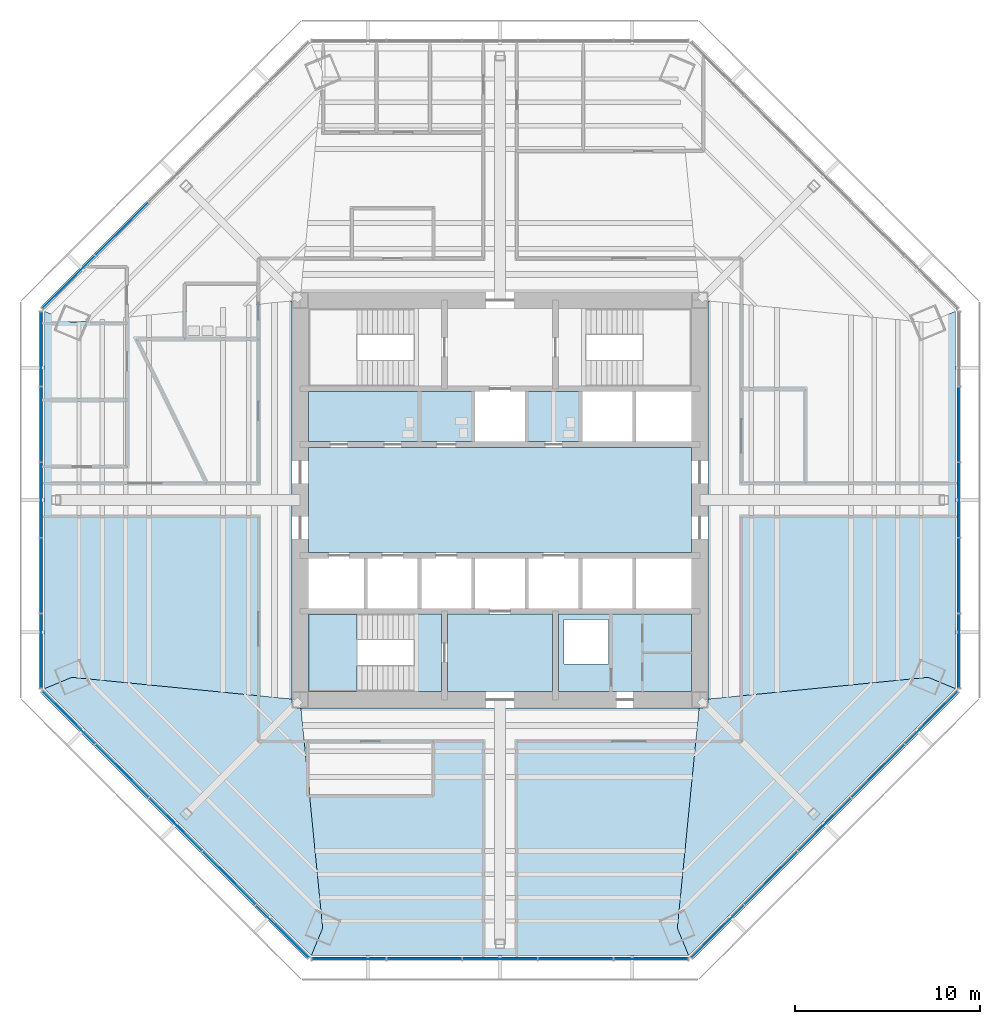
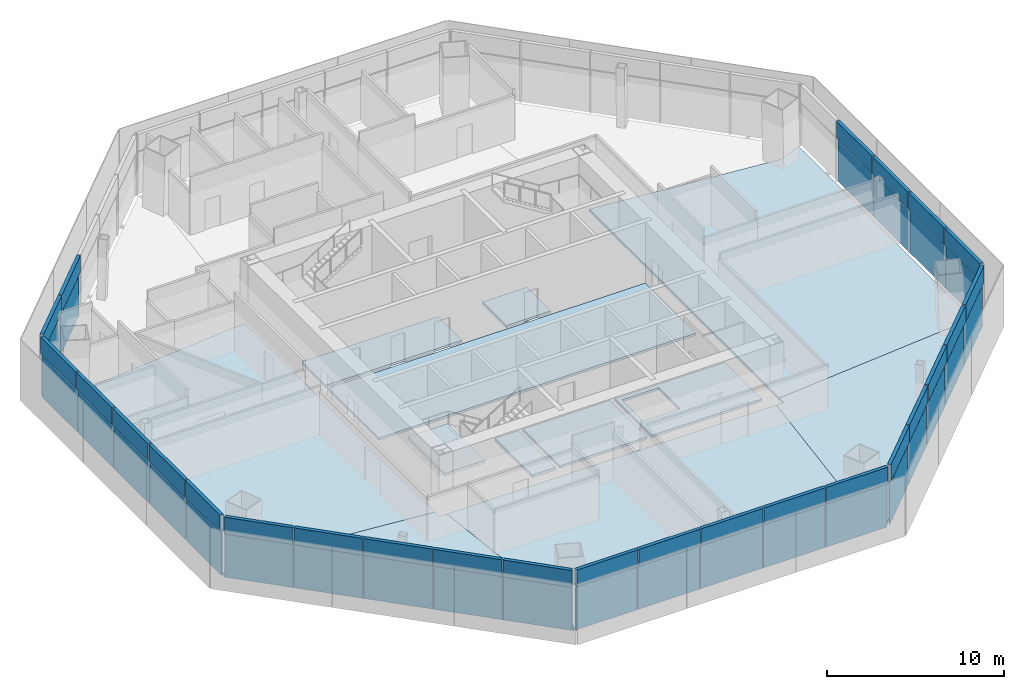
# One storey, part 7 of 14: 52 plates, 12 slabs, 7 elements without a shape of their own.
"""IFC4 building model written with IfcOpenShell, lengths in metres."""

import ifcopenshell
import ifcopenshell.guid

model = None  # the IFC model being written
_history = None  # IfcOwnerHistory: only IFC2X3 demands one
_inside = {}  # id of a spatial element -> (the spatial element, [elements in it])
_under = {}  # id of a project, library or spatial element -> (it, [spatial elements below it])
_declared = {}  # id of a project -> (the project, [libraries it declares])
_typed = {}  # id of a type object -> (the type object, [elements of that type])
_made_of = {}  # id of a material, layer set ... -> (it, [elements and type objects made of it])


def new_model(schema):
    """Start an empty IFC model of exactly this schema.

    Asked for "IFC4X3", IfcOpenShell would pick the latest addendum, in which some entities
    have other attributes; the version numbers below select the first issue.
    IFC2X3 requires an IfcOwnerHistory on every rooted entity: one is made here for all.
    """
    global model, _history
    if schema == "IFC4X3":
        model = ifcopenshell.file(schema_version=(4, 3, 0, 0))
    else:
        model = ifcopenshell.file(schema=schema)
    _inside.clear()
    _under.clear()
    _declared.clear()
    _typed.clear()
    _made_of.clear()
    _history = None
    if model.schema == "IFC2X3":
        org = make("IfcOrganization", Name="unknown")
        user = make(
            "IfcPersonAndOrganization",
            ThePerson=make("IfcPerson", FamilyName="unknown"),
            TheOrganization=org,
        )
        app = make(
            "IfcApplication",
            ApplicationDeveloper=org,
            Version="unknown",
            ApplicationFullName="unknown",
            ApplicationIdentifier="unknown",
        )
        _history = make(
            "IfcOwnerHistory",
            OwningUser=user,
            OwningApplication=app,
            ChangeAction="ADDED",
            CreationDate=0,
        )
    return model


def make(cls, **values):
    """One entity of the class cls with the attributes given. An attribute that is None is left unset."""
    return model.create_entity(
        cls, **{name: value for name, value in values.items() if value is not None}
    )


def rooted(cls, **values):
    """An entity with a GlobalId (a new one), such as an element, a storey or a relation."""
    return make(cls, GlobalId=ifcopenshell.guid.new(), OwnerHistory=_history, **values)


def si_unit(unit_type, name, prefix=None):
    """IfcSIUnit, for example si_unit("LENGTHUNIT", "METRE", prefix="MILLI")."""
    return make("IfcSIUnit", UnitType=unit_type, Prefix=prefix, Name=name)


def assignment(units):
    """IfcUnitAssignment: the units of a project."""
    return None if units is None else make("IfcUnitAssignment", Units=units)


def point(xyz):
    """IfcCartesianPoint."""
    return None if xyz is None else make("IfcCartesianPoint", Coordinates=xyz)


def direction(xyz):
    """IfcDirection."""
    return None if xyz is None else make("IfcDirection", DirectionRatios=xyz)


def frame(location, z_axis=None, x_axis=None):
    """IfcAxis2Placement3D, a coordinate frame: its origin and axes. An axis left out is left unset."""
    return make(
        "IfcAxis2Placement3D",
        Location=point(location),
        Axis=direction(z_axis),
        RefDirection=direction(x_axis),
    )


def frame_2d(location, x_axis=None):
    """IfcAxis2Placement2D, a coordinate frame in the plane: its origin and x axis."""
    return make(
        "IfcAxis2Placement2D", Location=point(location), RefDirection=direction(x_axis)
    )


def origin():
    """The frame at (0, 0, 0) with its axes left unset."""
    return frame((0.0, 0.0, 0.0))


def origin_2d():
    """The frame at (0, 0) in the plane with its x axis left unset."""
    return frame_2d((0.0, 0.0))


def place(relative_to, where):
    """IfcLocalPlacement: puts the frame where relative to a parent placement (None: the world)."""
    return make(
        "IfcLocalPlacement", PlacementRelTo=relative_to, RelativePlacement=where
    )


def context(
    kind, dimensions, precision=None, world=None, true_north=None, identifier=None
):
    """IfcGeometricRepresentationContext, for example the 3D "Model" context."""
    return make(
        "IfcGeometricRepresentationContext",
        ContextIdentifier=identifier,
        ContextType=kind,
        CoordinateSpaceDimension=dimensions,
        Precision=precision,
        WorldCoordinateSystem=world,
        TrueNorth=true_north,
    )


def subcontext(parent, identifier, kind, view, scale=None):
    """IfcGeometricRepresentationSubContext, for example "Body" below "Model"."""
    return make(
        "IfcGeometricRepresentationSubContext",
        ContextIdentifier=identifier,
        ContextType=kind,
        ParentContext=parent,
        TargetScale=scale,
        TargetView=view,
    )


def project(units=None, contexts=None):
    """IfcProject with its units and contexts."""
    return rooted(
        "IfcProject",
        Name="project",
        RepresentationContexts=contexts,
        UnitsInContext=assignment(units),
    )


def spatial(cls, under=None, at=None, **own):
    """A site, building, storey or space (cls), placed at a placement, below another one or the project."""
    s = rooted(cls, ObjectPlacement=at, **own)
    if under is not None:
        _under.setdefault(under.id(), (under, []))[1].append(s)
    return s


def polyline(points):
    """IfcPolyline through the points."""
    return make("IfcPolyline", Points=[point(p) for p in points])


def profile(cls, at=None, kind="AREA", **sizes):
    """A parametric profile (cls). Its sizes go by their IFC names, for example OverallWidth=200.0."""
    return make(cls, ProfileType=kind, Position=at, **sizes)


def rectangle(**sizes):
    """IfcRectangleProfileDef."""
    return profile("IfcRectangleProfileDef", **sizes)


def outline(outer, holes=None, kind="AREA"):
    """IfcArbitraryClosedProfileDef: a profile drawn as a closed curve; with holes, ...WithVoids."""
    if holes is None:
        return make("IfcArbitraryClosedProfileDef", ProfileType=kind, OuterCurve=outer)
    return make(
        "IfcArbitraryProfileDefWithVoids",
        ProfileType=kind,
        OuterCurve=outer,
        InnerCurves=holes,
    )


def extrude(swept, where, along, depth):
    """IfcExtrudedAreaSolid: the profile swept, set in the frame where, extruded along a direction by depth."""
    return make(
        "IfcExtrudedAreaSolid",
        SweptArea=swept,
        Position=where,
        ExtrudedDirection=direction(along),
        Depth=depth,
    )


def shape(context_of_items, identifier, shape_type, items):
    """IfcShapeRepresentation: the items that make up one representation, for example the "Body"."""
    return make(
        "IfcShapeRepresentation",
        ContextOfItems=context_of_items,
        RepresentationIdentifier=identifier,
        RepresentationType=shape_type,
        Items=items,
    )


def source(mapping_origin, context_of_items, identifier, shape_type, items):
    """IfcRepresentationMap: a shape defined once, which mapped items show again and again."""
    return make(
        "IfcRepresentationMap",
        MappingOrigin=mapping_origin,
        MappedRepresentation=shape(context_of_items, identifier, shape_type, items),
    )


def transform(
    local_origin,
    x_axis=None,
    y_axis=None,
    z_axis=None,
    scale=None,
    scale2=None,
    scale3=None,
    uniform=True,
):
    """IfcCartesianTransformationOperator3D, or its non-uniform kind. x_axis, y_axis, z_axis: its Axis1, 2, 3."""
    if uniform:
        return make(
            "IfcCartesianTransformationOperator3D",
            Axis1=direction(x_axis),
            Axis2=direction(y_axis),
            LocalOrigin=point(local_origin),
            Scale=scale,
            Axis3=direction(z_axis),
        )
    return make(
        "IfcCartesianTransformationOperator3DnonUniform",
        Axis1=direction(x_axis),
        Axis2=direction(y_axis),
        LocalOrigin=point(local_origin),
        Scale=scale,
        Axis3=direction(z_axis),
        Scale2=scale2,
        Scale3=scale3,
    )


def mapped(mapping_source, mapping_target):
    """IfcMappedItem: shows the shape of a source again, moved by a transform."""
    return make(
        "IfcMappedItem", MappingSource=mapping_source, MappingTarget=mapping_target
    )


def material(Name=None, Category=None):
    """IfcMaterial."""
    return make("IfcMaterial", Name=Name, Category=Category)


def layer(
    of_material, thickness, ventilated=None, Name=None, Category=None, Priority=None
):
    """IfcMaterialLayer: one layer of a wall or slab, of a material (None: an air gap)."""
    return make(
        "IfcMaterialLayer",
        Material=of_material,
        LayerThickness=thickness,
        IsVentilated=ventilated,
        Name=Name,
        Category=Category,
        Priority=Priority,
    )


def layer_set(layers, Name=None):
    """IfcMaterialLayerSet."""
    return make("IfcMaterialLayerSet", MaterialLayers=layers, LayerSetName=Name)


def made_of(thing, what):
    """Note that an element or type object is made of a material, layer set ...; save() writes the relation."""
    if what is not None:
        _made_of.setdefault(what.id(), (what, []))[1].append(thing)
    return thing


def type_object(cls, material=None, **own):
    """A type object (cls), such as IfcWallType, which elements share."""
    return made_of(rooted(cls, **own), material)


def type_shapes(of_type, sources):
    """Give a type object the sources (RepresentationMaps) that its elements show as mapped items."""
    of_type.RepresentationMaps = sources


def element(
    cls,
    number,
    at=None,
    inside=None,
    cuts=None,
    type_object=None,
    material=None,
    context=None,
    identifier="Body",
    shape_type=None,
    held_by="IfcProductDefinitionShape",
    body=None,
    shapes=None,
    **own,
):
    """One element of the class cls, such as IfcWall. Its Tag is "e" and its number.

    at: its placement. inside: the storey or other place that contains it. cuts: it is an
    opening in that element (IfcRelVoidsElement). A single representation is given by context,
    identifier, shape_type and body (its items); several are given by shapes. held_by: the class
    of the entity that holds the representations. save() writes the other relations.
    """
    e = rooted(cls, Tag="e%d" % number, ObjectPlacement=at, **own)
    if body is not None:
        shapes = [shape(context, identifier, shape_type, body)]
    if shapes is not None:
        e.Representation = make(held_by, Representations=shapes)
    if inside is not None:
        _inside.setdefault(inside.id(), (inside, []))[1].append(e)
    if cuts is not None:
        rooted(
            "IfcRelVoidsElement", RelatingBuildingElement=cuts, RelatedOpeningElement=e
        )
    if type_object is not None:
        _typed.setdefault(type_object.id(), (type_object, []))[1].append(e)
    return made_of(e, material)


def aggregate(whole, parts):
    """IfcRelAggregates: a whole, such as a stair, and the parts it consists of."""
    return rooted("IfcRelAggregates", RelatingObject=whole, RelatedObjects=parts)


def save(model, path):
    """Write the relations noted so far, then the file.

    IfcRelAggregates (storeys below a building ...), IfcRelContainedInSpatialStructure (elements
    in a storey), IfcRelDefinesByType, IfcRelAssociatesMaterial and IfcRelDeclares: one each for
    every whole, place, type object, material and project.
    """
    for whole, parts in _under.values():
        aggregate(whole, parts)
    for where, things in _inside.values():
        rooted(
            "IfcRelContainedInSpatialStructure",
            RelatedElements=things,
            RelatingStructure=where,
        )
    for kind, things in _typed.values():
        rooted("IfcRelDefinesByType", RelatedObjects=things, RelatingType=kind)
    for what, things in _made_of.values():
        rooted("IfcRelAssociatesMaterial", RelatedObjects=things, RelatingMaterial=what)
    for by, libraries in _declared.values():
        rooted("IfcRelDeclares", RelatingContext=by, RelatedDefinitions=libraries)
    model.write(path)


model = new_model("IFC4")

# Units and contexts
model_context = context("Model", 3, precision=1e-05, world=origin(), true_north=direction((0.0, 1.0)))
body_context = subcontext(model_context, "Body", "Model", "MODEL_VIEW")
ifc_project = project(units=[si_unit("LENGTHUNIT", "METRE"), si_unit("AREAUNIT", "SQUARE_METRE"), si_unit("VOLUMEUNIT", "CUBIC_METRE"), si_unit("PLANEANGLEUNIT", "RADIAN"), si_unit("MASSUNIT", "GRAM", prefix="KILO")], contexts=[model_context])

# Site, building, storey
site_placement = place(None, origin())
site = spatial("IfcSite", under=ifc_project, at=site_placement, CompositionType="ELEMENT")
building_placement = place(site_placement, origin())
building = spatial("IfcBuilding", under=site, at=building_placement, Name="Mashrafa Tower", CompositionType="ELEMENT")
storey_placement = place(building_placement, frame((0.0, 0.0, 113.39990234375)))
storey = spatial("IfcBuildingStorey", under=building, at=storey_placement, Name="L25", CompositionType="ELEMENT", Elevation=113.39990234375)

# Slabs
ifc_material_1 = material(Name="Concrete C35/45", Category="concrete")
ifc_layer_1 = layer(ifc_material_1, 0.1650390625)
ifc_layer_set_1 = layer_set([ifc_layer_1], Name="Floor slab 165")
slab_type_1 = type_object("IfcSlabType", Name="Floor slab 165", PredefinedType="FLOOR", material=ifc_layer_set_1)
slab_1_placement = place(storey_placement, frame((0.0, 0.0, -0.164794921875)))
element("IfcSlab", 1, at=slab_1_placement, inside=storey, type_object=slab_type_1, Name="Floor slab L25 east bay", PredefinedType="FLOOR", context=body_context, shape_type="SweptSolid", body=[
    extrude(outline(polyline([(24.606689453125, -10.1923828125), (23.13330078125, -9.58203125), (11.25, -10.755615234375), (11.25, 10.755615234375), (23.13330078125, 9.58203125), (24.606689453125, 10.1923828125), (24.606689453125, -10.1923828125)])), origin(), (0.0, 0.0, 1.0), 0.164794921875),
])
slab_2_placement = place(storey_placement, frame((0.0, 0.0, -0.164794921875)))
element("IfcSlab", 2, at=slab_2_placement, inside=storey, type_object=slab_type_1, Name="Floor slab L25 west bay", PredefinedType="FLOOR", context=body_context, shape_type="SweptSolid", body=[
    extrude(outline(polyline([(-24.606689453125, 10.1923828125), (-23.13330078125, 9.58203125), (-11.25, 10.755615234375), (-11.25, -10.755615234375), (-23.13330078125, -9.58203125), (-24.606689453125, -10.1923828125), (-24.606689453125, 10.1923828125)])), origin(), (0.0, 0.0, 1.0), 0.164794921875),
])
slab_3_placement = place(storey_placement, frame((0.0, 0.0, -0.164794921875)))
element("IfcSlab", 3, at=slab_3_placement, inside=storey, type_object=slab_type_1, Name="Floor slab L25 south-west bay", PredefinedType="FLOOR", context=body_context, shape_type="SweptSolid", body=[
    extrude(outline(polyline([(-10.1923828125, -24.606689453125), (-24.606689453125, -10.1923828125), (-24.606689453125, -10.1923828125), (-23.13330078125, -9.58203125), (-11.25, -10.755615234375), (-11.25, -11.25), (-10.755615234375, -11.25), (-9.58203125, -23.13330078125), (-10.1923828125, -24.606689453125), (-10.1923828125, -24.606689453125)])), origin(), (0.0, 0.0, 1.0), 0.164794921875),
])
slab_4_placement = place(storey_placement, frame((0.0, 0.0, -0.164794921875)))
element("IfcSlab", 4, at=slab_4_placement, inside=storey, type_object=slab_type_1, Name="Floor slab L25 south bay", PredefinedType="FLOOR", context=body_context, shape_type="SweptSolid", body=[
    extrude(outline(polyline([(-10.1923828125, -24.606689453125), (-9.58203125, -23.13330078125), (-10.755615234375, -11.25), (10.755615234375, -11.25), (9.58203125, -23.13330078125), (10.1923828125, -24.606689453125), (-10.1923828125, -24.606689453125)])), origin(), (0.0, 0.0, 1.0), 0.164794921875),
])
slab_5_placement = place(storey_placement, frame((0.0, 0.0, -0.164794921875)))
element("IfcSlab", 5, at=slab_5_placement, inside=storey, type_object=slab_type_1, Name="Floor slab L25 south-east bay", PredefinedType="FLOOR", context=body_context, shape_type="SweptSolid", body=[
    extrude(outline(polyline([(10.1923828125, -24.606689453125), (9.58203125, -23.13330078125), (10.755615234375, -11.25), (11.25, -11.25), (11.25, -10.755615234375), (23.13330078125, -9.58203125), (24.606689453125, -10.1923828125), (24.606689453125, -10.1923828125), (10.1923828125, -24.606689453125), (10.1923828125, -24.606689453125)])), origin(), (0.0, 0.0, 1.0), 0.164794921875),
])
slab_6_placement = place(storey_placement, frame((0.0, 0.0, -0.164794921875)))
element("IfcSlab", 6, at=slab_6_placement, inside=storey, type_object=slab_type_1, Name="Core floor lift hall L25", PredefinedType="FLOOR", context=body_context, shape_type="SweptSolid", body=[
    extrude(outline(polyline([(-10.35009765625, 2.85009765625), (10.35009765625, 2.85009765625), (10.35009765625, -2.85009765625), (-10.35009765625, -2.85009765625), (-10.35009765625, 2.85009765625)])), origin(), (0.0, 0.0, 1.0), 0.164794921875),
])
slab_7_placement = place(storey_placement, frame((0.0, 0.0, -0.164794921875)))
element("IfcSlab", 7, at=slab_7_placement, inside=storey, type_object=slab_type_1, Name="Core floor riser and electrical band L25", PredefinedType="FLOOR", context=body_context, shape_type="SweptSolid", body=[
    extrude(outline(polyline([(10.35009765625, -6.14990234375), (10.35009765625, -10.35009765625), (3.14990234375, -10.35009765625), (3.14990234375, -6.14990234375), (10.35009765625, -6.14990234375)]), holes=[polyline([(3.449951171875, -8.85009765625), (5.85009765625, -8.85009765625), (5.85009765625, -6.449951171875), (3.449951171875, -6.449951171875), (3.449951171875, -8.85009765625)])]), origin(), (0.0, 0.0, 1.0), 0.164794921875),
])
slab_8_placement = place(storey_placement, frame((0.0, 0.0, -0.164794921875)))
element("IfcSlab", 8, at=slab_8_placement, inside=storey, type_object=slab_type_1, Name="Core floor lift cell L25", PredefinedType="FLOOR", context=body_context, shape_type="SweptSolid", body=[
    extrude(outline(polyline([(-1.449951171875, 3.14990234375), (-10.35009765625, 3.14990234375), (-10.35009765625, 5.85009765625), (-1.449951171875, 5.85009765625), (-1.449951171875, 3.14990234375)])), origin(), (0.0, 0.0, 1.0), 0.164794921875),
])
slab_9_placement = place(storey_placement, frame((0.0, 0.0, -0.164794921875)))
element("IfcSlab", 9, at=slab_9_placement, inside=storey, type_object=slab_type_1, Name="Core floor fire-fighting lobby south L25", PredefinedType="FLOOR", context=body_context, shape_type="SweptSolid", body=[
    extrude(outline(polyline([(2.85009765625, -6.14990234375), (2.85009765625, -10.35009765625), (-2.85009765625, -10.35009765625), (-2.85009765625, -6.14990234375), (2.85009765625, -6.14990234375)])), origin(), (0.0, 0.0, 1.0), 0.164794921875),
])
slab_10_placement = place(storey_placement, frame((0.0, 0.0, -0.164794921875)))
element("IfcSlab", 10, at=slab_10_placement, inside=storey, type_object=slab_type_1, Name="Core floor lift cell L25", PredefinedType="FLOOR", context=body_context, shape_type="SweptSolid", body=[
    extrude(outline(polyline([(4.35009765625, 5.85009765625), (4.35009765625, 3.14990234375), (1.449951171875, 3.14990234375), (1.449951171875, 5.85009765625), (4.35009765625, 5.85009765625)])), origin(), (0.0, 0.0, 1.0), 0.164794921875),
])

# Stair, slabs
ifc_material_2 = material(Name="Exit stair 1400")
stair_type = type_object("IfcStairType", Name="Exit stair 1400", PredefinedType="HALF_TURN_STAIR", material=ifc_material_2)
stair_placement = place(storey_placement, origin())
stair = element("IfcStair", 11, at=stair_placement, inside=storey, type_object=stair_type, Name="Stair S3 L25", PredefinedType="HALF_TURN_STAIR")
ifc_material_3 = material(Name="Concrete C32/40", Category="concrete")
ifc_layer_2 = layer(ifc_material_3, 0.199951171875)
ifc_layer_set_2 = layer_set([ifc_layer_2], Name="Stair landing 200")
slab_type_2 = type_object("IfcSlabType", Name="Stair landing 200", PredefinedType="LANDING", material=ifc_layer_set_2)
slab_11_placement = place(storey_placement, frame((0.0, 0.0, -0.199951171875)))
slab_11 = element("IfcSlab", 12, at=slab_11_placement, type_object=slab_type_2, Name="S3 landing 1", PredefinedType="LANDING", context=body_context, shape_type="SweptSolid", body=[
    extrude(outline(polyline([(-4.659912109375, -10.35009765625), (-3.14990234375, -10.35009765625), (-3.14990234375, -6.14990234375), (-4.659912109375, -6.14990234375), (-4.659912109375, -10.35009765625)])), origin(), (0.0, 0.0, 1.0), 0.199951171875),
])
slab_12_placement = place(storey_placement, frame((0.0, 0.0, 1.900146484375)))
slab_12 = element("IfcSlab", 13, at=slab_12_placement, type_object=slab_type_2, Name="S3 landing 2", PredefinedType="LANDING", context=body_context, shape_type="SweptSolid", body=[
    extrude(outline(polyline([(-10.35009765625, -10.35009765625), (-7.719970703125, -10.35009765625), (-7.719970703125, -6.14990234375), (-10.35009765625, -6.14990234375), (-10.35009765625, -10.35009765625)])), origin(), (0.0, 0.0, 1.0), 0.199951171875),
])
aggregate(stair, [slab_11, slab_12])

# Curtain wall, plate
ifc_material_4 = material(Name="Unitised aluminium curtain wall", Category="aluminium")
curtain_wall_type = type_object("IfcCurtainWallType", Name="Office curtain wall, zone 2 CW-B 225 deep", PredefinedType="NOTDEFINED", material=ifc_material_4)
curtain_wall_1_placement = place(storey_placement, origin())
curtain_wall_1 = element("IfcCurtainWall", 14, at=curtain_wall_1_placement, inside=storey, type_object=curtain_wall_type, Name="Office curtain wall, zone 2 L25 east", PredefinedType="NOTDEFINED")
ifc_material_5 = material(Name="Insulated double glazing, low-e, neutral", Category="glass")
ifc_layer_3 = layer(ifc_material_5, 0.028076171875)
ifc_layer_set_3 = layer_set([ifc_layer_3], Name="Vision panel CW-B 28")
plate_type_1 = type_object("IfcPlateType", Name="Vision panel CW-B 28", PredefinedType="CURTAIN_PANEL", material=ifc_layer_set_3)
shared_shape_1 = source(origin(), body_context, "Body", "SweptSolid", [
    extrude(rectangle(XDim=3.989990234375, YDim=0.028076171875, at=origin_2d()), origin(), (0.0, 0.0, 1.0), 2.9599609375),
])
plate_1_placement = place(storey_placement, frame((24.806884765625, -8.15869140625, 0.0), z_axis=(0.0, 0.0, 1.0), x_axis=(0.0, 1.0, 0.0)))
plate_1 = element("IfcPlate", 15, at=plate_1_placement, type_object=plate_type_1, Name="CW-B vision panel 1", PredefinedType="CURTAIN_PANEL", context=body_context, shape_type="MappedRepresentation", body=[
    mapped(shared_shape_1, transform((0.0, 0.0, 0.0))),
])

curtain_wall_2_placement = place(storey_placement, origin())
curtain_wall_2 = element("IfcCurtainWall", 16, at=curtain_wall_2_placement, inside=storey, type_object=curtain_wall_type, Name="Office curtain wall, zone 2 L25 north-west", PredefinedType="NOTDEFINED")
plate_2_placement = place(storey_placement, frame((-23.31005859375, 11.77197265625, 0.0), z_axis=(0.0, 0.0, 1.0), x_axis=(-0.707106781187, -0.707106781187, 0.0)))
plate_2 = element("IfcPlate", 17, at=plate_2_placement, type_object=plate_type_1, Name="CW-B vision panel 5", PredefinedType="CURTAIN_PANEL", context=body_context, shape_type="MappedRepresentation", body=[
    mapped(shared_shape_1, transform((0.0, 0.0, 0.0))),
])

# Curtain wall, plates
curtain_wall_3_placement = place(storey_placement, origin())
curtain_wall_3 = element("IfcCurtainWall", 18, at=curtain_wall_3_placement, inside=storey, type_object=curtain_wall_type, Name="Office curtain wall, zone 2 L25 west", PredefinedType="NOTDEFINED")
plate_3_placement = place(storey_placement, frame((-24.806884765625, 8.15869140625, 0.0), z_axis=(0.0, 0.0, 1.0), x_axis=(0.0, -1.0, 0.0)))
plate_3 = element("IfcPlate", 19, at=plate_3_placement, type_object=plate_type_1, Name="CW-B vision panel 1", PredefinedType="CURTAIN_PANEL", context=body_context, shape_type="MappedRepresentation", body=[
    mapped(shared_shape_1, transform((0.0, 0.0, 0.0))),
])
plate_4_placement = place(storey_placement, frame((-24.806884765625, -8.15869140625, 0.0), z_axis=(0.0, 0.0, 1.0), x_axis=(0.0, -1.0, 0.0)))
plate_4 = element("IfcPlate", 20, at=plate_4_placement, type_object=plate_type_1, Name="CW-B vision panel 5", PredefinedType="CURTAIN_PANEL", context=body_context, shape_type="MappedRepresentation", body=[
    mapped(shared_shape_1, transform((0.0, 0.0, 0.0))),
])

curtain_wall_4_placement = place(storey_placement, origin())
curtain_wall_4 = element("IfcCurtainWall", 21, at=curtain_wall_4_placement, inside=storey, type_object=curtain_wall_type, Name="Office curtain wall, zone 2 L25 south-west", PredefinedType="NOTDEFINED")
plate_5_placement = place(storey_placement, frame((-23.31005859375, -11.77197265625, 0.0), z_axis=(0.0, 0.0, 1.0), x_axis=(0.707106781187, -0.707106781187, 0.0)))
plate_5 = element("IfcPlate", 22, at=plate_5_placement, type_object=plate_type_1, Name="CW-B vision panel 1", PredefinedType="CURTAIN_PANEL", context=body_context, shape_type="MappedRepresentation", body=[
    mapped(shared_shape_1, transform((0.0, 0.0, 0.0))),
])
plate_6_placement = place(storey_placement, frame((-11.77197265625, -23.31005859375, 0.0), z_axis=(0.0, 0.0, 1.0), x_axis=(0.707106781187, -0.707106781187, 0.0)))
plate_6 = element("IfcPlate", 23, at=plate_6_placement, type_object=plate_type_1, Name="CW-B vision panel 5", PredefinedType="CURTAIN_PANEL", context=body_context, shape_type="MappedRepresentation", body=[
    mapped(shared_shape_1, transform((0.0, 0.0, 0.0))),
])

curtain_wall_5_placement = place(storey_placement, origin())
curtain_wall_5 = element("IfcCurtainWall", 24, at=curtain_wall_5_placement, inside=storey, type_object=curtain_wall_type, Name="Office curtain wall, zone 2 L25 south", PredefinedType="NOTDEFINED")
plate_7_placement = place(storey_placement, frame((-8.15869140625, -24.806884765625, 0.0), z_axis=(0.0, 0.0, 1.0), x_axis=(1.0, 0.0, 0.0)))
plate_7 = element("IfcPlate", 25, at=plate_7_placement, type_object=plate_type_1, Name="CW-B vision panel 1", PredefinedType="CURTAIN_PANEL", context=body_context, shape_type="MappedRepresentation", body=[
    mapped(shared_shape_1, transform((0.0, 0.0, 0.0))),
])
plate_8_placement = place(storey_placement, frame((8.15869140625, -24.806884765625, 0.0), z_axis=(0.0, 0.0, 1.0), x_axis=(1.0, 0.0, 0.0)))
plate_8 = element("IfcPlate", 26, at=plate_8_placement, type_object=plate_type_1, Name="CW-B vision panel 5", PredefinedType="CURTAIN_PANEL", context=body_context, shape_type="MappedRepresentation", body=[
    mapped(shared_shape_1, transform((0.0, 0.0, 0.0))),
])

curtain_wall_6_placement = place(storey_placement, origin())
curtain_wall_6 = element("IfcCurtainWall", 27, at=curtain_wall_6_placement, inside=storey, type_object=curtain_wall_type, Name="Office curtain wall, zone 2 L25 south-east", PredefinedType="NOTDEFINED")
plate_9_placement = place(storey_placement, frame((11.77197265625, -23.31005859375, 0.0), z_axis=(0.0, 0.0, 1.0), x_axis=(0.707106781187, 0.707106781187, 0.0)))
plate_9 = element("IfcPlate", 28, at=plate_9_placement, type_object=plate_type_1, Name="CW-B vision panel 1", PredefinedType="CURTAIN_PANEL", context=body_context, shape_type="MappedRepresentation", body=[
    mapped(shared_shape_1, transform((0.0, 0.0, 0.0))),
])
plate_10_placement = place(storey_placement, frame((23.31005859375, -11.77197265625, 0.0), z_axis=(0.0, 0.0, 1.0), x_axis=(0.707106781187, 0.707106781187, 0.0)))
plate_10 = element("IfcPlate", 29, at=plate_10_placement, type_object=plate_type_1, Name="CW-B vision panel 5", PredefinedType="CURTAIN_PANEL", context=body_context, shape_type="MappedRepresentation", body=[
    mapped(shared_shape_1, transform((0.0, 0.0, 0.0))),
])

# Plate
ifc_material_6 = material(Name="Insulated aluminium spandrel panel", Category="aluminium")
ifc_layer_4 = layer(ifc_material_6, 0.219970703125)
ifc_layer_set_4 = layer_set([ifc_layer_4], Name="Spandrel panel CW-B 220")
plate_type_2 = type_object("IfcPlateType", Name="Spandrel panel CW-B 220", PredefinedType="CURTAIN_PANEL", material=ifc_layer_set_4)
shared_shape_2 = source(origin(), body_context, "Body", "SweptSolid", [
    extrude(rectangle(XDim=3.989990234375, YDim=0.219970703125, at=origin_2d()), origin(), (0.0, 0.0, 1.0), 1.159912109375),
])
plate_11_placement = place(storey_placement, frame((24.806884765625, -8.15869140625, 3.0400390625), z_axis=(0.0, 0.0, 1.0), x_axis=(0.0, 1.0, 0.0)))
plate_11 = element("IfcPlate", 30, at=plate_11_placement, type_object=plate_type_2, Name="CW-B spandrel panel 1", PredefinedType="CURTAIN_PANEL", context=body_context, shape_type="MappedRepresentation", body=[
    mapped(shared_shape_2, transform((0.0, 0.0, 0.0))),
])

plate_12_placement = place(storey_placement, frame((-23.31005859375, 11.77197265625, 3.0400390625), z_axis=(0.0, 0.0, 1.0), x_axis=(-0.707106781187, -0.707106781187, 0.0)))
plate_12 = element("IfcPlate", 31, at=plate_12_placement, type_object=plate_type_2, Name="CW-B spandrel panel 5", PredefinedType="CURTAIN_PANEL", context=body_context, shape_type="MappedRepresentation", body=[
    mapped(shared_shape_2, transform((0.0, 0.0, 0.0))),
])

plate_13_placement = place(storey_placement, frame((-24.806884765625, 8.15869140625, 3.0400390625), z_axis=(0.0, 0.0, 1.0), x_axis=(0.0, -1.0, 0.0)))
plate_13 = element("IfcPlate", 32, at=plate_13_placement, type_object=plate_type_2, Name="CW-B spandrel panel 1", PredefinedType="CURTAIN_PANEL", context=body_context, shape_type="MappedRepresentation", body=[
    mapped(shared_shape_2, transform((0.0, 0.0, 0.0))),
])

plate_14_placement = place(storey_placement, frame((-24.806884765625, -8.15869140625, 3.0400390625), z_axis=(0.0, 0.0, 1.0), x_axis=(0.0, -1.0, 0.0)))
plate_14 = element("IfcPlate", 33, at=plate_14_placement, type_object=plate_type_2, Name="CW-B spandrel panel 5", PredefinedType="CURTAIN_PANEL", context=body_context, shape_type="MappedRepresentation", body=[
    mapped(shared_shape_2, transform((0.0, 0.0, 0.0))),
])

plate_15_placement = place(storey_placement, frame((-23.31005859375, -11.77197265625, 3.0400390625), z_axis=(0.0, 0.0, 1.0), x_axis=(0.707106781187, -0.707106781187, 0.0)))
plate_15 = element("IfcPlate", 34, at=plate_15_placement, type_object=plate_type_2, Name="CW-B spandrel panel 1", PredefinedType="CURTAIN_PANEL", context=body_context, shape_type="MappedRepresentation", body=[
    mapped(shared_shape_2, transform((0.0, 0.0, 0.0))),
])

plate_16_placement = place(storey_placement, frame((-11.77197265625, -23.31005859375, 3.0400390625), z_axis=(0.0, 0.0, 1.0), x_axis=(0.707106781187, -0.707106781187, 0.0)))
plate_16 = element("IfcPlate", 35, at=plate_16_placement, type_object=plate_type_2, Name="CW-B spandrel panel 5", PredefinedType="CURTAIN_PANEL", context=body_context, shape_type="MappedRepresentation", body=[
    mapped(shared_shape_2, transform((0.0, 0.0, 0.0))),
])

plate_17_placement = place(storey_placement, frame((-8.15869140625, -24.806884765625, 3.0400390625), z_axis=(0.0, 0.0, 1.0), x_axis=(1.0, 0.0, 0.0)))
plate_17 = element("IfcPlate", 36, at=plate_17_placement, type_object=plate_type_2, Name="CW-B spandrel panel 1", PredefinedType="CURTAIN_PANEL", context=body_context, shape_type="MappedRepresentation", body=[
    mapped(shared_shape_2, transform((0.0, 0.0, 0.0))),
])

plate_18_placement = place(storey_placement, frame((8.15869140625, -24.806884765625, 3.0400390625), z_axis=(0.0, 0.0, 1.0), x_axis=(1.0, 0.0, 0.0)))
plate_18 = element("IfcPlate", 37, at=plate_18_placement, type_object=plate_type_2, Name="CW-B spandrel panel 5", PredefinedType="CURTAIN_PANEL", context=body_context, shape_type="MappedRepresentation", body=[
    mapped(shared_shape_2, transform((0.0, 0.0, 0.0))),
])

plate_19_placement = place(storey_placement, frame((11.77197265625, -23.31005859375, 3.0400390625), z_axis=(0.0, 0.0, 1.0), x_axis=(0.707106781187, 0.707106781187, 0.0)))
plate_19 = element("IfcPlate", 38, at=plate_19_placement, type_object=plate_type_2, Name="CW-B spandrel panel 1", PredefinedType="CURTAIN_PANEL", context=body_context, shape_type="MappedRepresentation", body=[
    mapped(shared_shape_2, transform((0.0, 0.0, 0.0))),
])

plate_20_placement = place(storey_placement, frame((23.31005859375, -11.77197265625, 3.0400390625), z_axis=(0.0, 0.0, 1.0), x_axis=(0.707106781187, 0.707106781187, 0.0)))
plate_20 = element("IfcPlate", 39, at=plate_20_placement, type_object=plate_type_2, Name="CW-B spandrel panel 5", PredefinedType="CURTAIN_PANEL", context=body_context, shape_type="MappedRepresentation", body=[
    mapped(shared_shape_2, transform((0.0, 0.0, 0.0))),
])

shared_shape_3 = source(origin(), body_context, "Body", "SweptSolid", [
    extrude(rectangle(XDim=4.0224609375, YDim=0.028076171875, at=origin_2d()), origin(), (0.0, 0.0, 1.0), 2.9599609375),
])
type_shapes(plate_type_1, [shared_shape_1, shared_shape_3])
plate_21_placement = place(storey_placement, frame((24.806884765625, -4.08740234375, 0.0), z_axis=(0.0, 0.0, 1.0), x_axis=(0.0, 1.0, 0.0)))
plate_21 = element("IfcPlate", 40, at=plate_21_placement, type_object=plate_type_1, Name="CW-B vision panel 2", PredefinedType="CURTAIN_PANEL", context=body_context, shape_type="MappedRepresentation", body=[
    mapped(shared_shape_3, transform((0.0, 0.0, 0.0))),
])

plate_22_placement = place(storey_placement, frame((24.806884765625, 0.0, 0.0), z_axis=(0.0, 0.0, 1.0), x_axis=(0.0, 1.0, 0.0)))
plate_22 = element("IfcPlate", 41, at=plate_22_placement, type_object=plate_type_1, Name="CW-B vision panel 3", PredefinedType="CURTAIN_PANEL", context=body_context, shape_type="MappedRepresentation", body=[
    mapped(shared_shape_3, transform((0.0, 0.0, 0.0))),
])

plate_23_placement = place(storey_placement, frame((24.806884765625, 4.08740234375, 0.0), z_axis=(0.0, 0.0, 1.0), x_axis=(0.0, 1.0, 0.0)))
plate_23 = element("IfcPlate", 42, at=plate_23_placement, type_object=plate_type_1, Name="CW-B vision panel 4", PredefinedType="CURTAIN_PANEL", context=body_context, shape_type="MappedRepresentation", body=[
    mapped(shared_shape_3, transform((0.0, 0.0, 0.0))),
])

plate_24_placement = place(storey_placement, frame((-20.431396484375, 14.65087890625, 0.0), z_axis=(0.0, 0.0, 1.0), x_axis=(-0.707106781187, -0.707106781187, 0.0)))
plate_24 = element("IfcPlate", 43, at=plate_24_placement, type_object=plate_type_1, Name="CW-B vision panel 4", PredefinedType="CURTAIN_PANEL", context=body_context, shape_type="MappedRepresentation", body=[
    mapped(shared_shape_3, transform((0.0, 0.0, 0.0))),
])

plate_25_placement = place(storey_placement, frame((-24.806884765625, 4.08740234375, 0.0), z_axis=(0.0, 0.0, 1.0), x_axis=(0.0, -1.0, 0.0)))
plate_25 = element("IfcPlate", 44, at=plate_25_placement, type_object=plate_type_1, Name="CW-B vision panel 2", PredefinedType="CURTAIN_PANEL", context=body_context, shape_type="MappedRepresentation", body=[
    mapped(shared_shape_3, transform((0.0, 0.0, 0.0))),
])

plate_26_placement = place(storey_placement, frame((-24.806884765625, 0.0, 0.0), z_axis=(0.0, 0.0, 1.0), x_axis=(0.0, -1.0, 0.0)))
plate_26 = element("IfcPlate", 45, at=plate_26_placement, type_object=plate_type_1, Name="CW-B vision panel 3", PredefinedType="CURTAIN_PANEL", context=body_context, shape_type="MappedRepresentation", body=[
    mapped(shared_shape_3, transform((0.0, 0.0, 0.0))),
])

plate_27_placement = place(storey_placement, frame((-24.806884765625, -4.08740234375, 0.0), z_axis=(0.0, 0.0, 1.0), x_axis=(0.0, -1.0, 0.0)))
plate_27 = element("IfcPlate", 46, at=plate_27_placement, type_object=plate_type_1, Name="CW-B vision panel 4", PredefinedType="CURTAIN_PANEL", context=body_context, shape_type="MappedRepresentation", body=[
    mapped(shared_shape_3, transform((0.0, 0.0, 0.0))),
])

plate_28_placement = place(storey_placement, frame((-20.431396484375, -14.65087890625, 0.0), z_axis=(0.0, 0.0, 1.0), x_axis=(0.707106781187, -0.707106781187, 0.0)))
plate_28 = element("IfcPlate", 47, at=plate_28_placement, type_object=plate_type_1, Name="CW-B vision panel 2", PredefinedType="CURTAIN_PANEL", context=body_context, shape_type="MappedRepresentation", body=[
    mapped(shared_shape_3, transform((0.0, 0.0, 0.0))),
])

plate_29_placement = place(storey_placement, frame((-17.541015625, -17.541015625, 0.0), z_axis=(0.0, 0.0, 1.0), x_axis=(0.707106781187, -0.707106781187, 0.0)))
plate_29 = element("IfcPlate", 48, at=plate_29_placement, type_object=plate_type_1, Name="CW-B vision panel 3", PredefinedType="CURTAIN_PANEL", context=body_context, shape_type="MappedRepresentation", body=[
    mapped(shared_shape_3, transform((0.0, 0.0, 0.0))),
])

plate_30_placement = place(storey_placement, frame((-14.65087890625, -20.431396484375, 0.0), z_axis=(0.0, 0.0, 1.0), x_axis=(0.707106781187, -0.707106781187, 0.0)))
plate_30 = element("IfcPlate", 49, at=plate_30_placement, type_object=plate_type_1, Name="CW-B vision panel 4", PredefinedType="CURTAIN_PANEL", context=body_context, shape_type="MappedRepresentation", body=[
    mapped(shared_shape_3, transform((0.0, 0.0, 0.0))),
])

plate_31_placement = place(storey_placement, frame((-4.08740234375, -24.806884765625, 0.0), z_axis=(0.0, 0.0, 1.0), x_axis=(1.0, 0.0, 0.0)))
plate_31 = element("IfcPlate", 50, at=plate_31_placement, type_object=plate_type_1, Name="CW-B vision panel 2", PredefinedType="CURTAIN_PANEL", context=body_context, shape_type="MappedRepresentation", body=[
    mapped(shared_shape_3, transform((0.0, 0.0, 0.0))),
])

plate_32_placement = place(storey_placement, frame((0.0, -24.806884765625, 0.0), z_axis=(0.0, 0.0, 1.0), x_axis=(1.0, 0.0, 0.0)))
plate_32 = element("IfcPlate", 51, at=plate_32_placement, type_object=plate_type_1, Name="CW-B vision panel 3", PredefinedType="CURTAIN_PANEL", context=body_context, shape_type="MappedRepresentation", body=[
    mapped(shared_shape_3, transform((0.0, 0.0, 0.0))),
])

plate_33_placement = place(storey_placement, frame((4.08740234375, -24.806884765625, 0.0), z_axis=(0.0, 0.0, 1.0), x_axis=(1.0, 0.0, 0.0)))
plate_33 = element("IfcPlate", 52, at=plate_33_placement, type_object=plate_type_1, Name="CW-B vision panel 4", PredefinedType="CURTAIN_PANEL", context=body_context, shape_type="MappedRepresentation", body=[
    mapped(shared_shape_3, transform((0.0, 0.0, 0.0))),
])

plate_34_placement = place(storey_placement, frame((14.65087890625, -20.431396484375, 0.0), z_axis=(0.0, 0.0, 1.0), x_axis=(0.707106781187, 0.707106781187, 0.0)))
plate_34 = element("IfcPlate", 53, at=plate_34_placement, type_object=plate_type_1, Name="CW-B vision panel 2", PredefinedType="CURTAIN_PANEL", context=body_context, shape_type="MappedRepresentation", body=[
    mapped(shared_shape_3, transform((0.0, 0.0, 0.0))),
])

plate_35_placement = place(storey_placement, frame((17.541015625, -17.541015625, 0.0), z_axis=(0.0, 0.0, 1.0), x_axis=(0.707106781187, 0.707106781187, 0.0)))
plate_35 = element("IfcPlate", 54, at=plate_35_placement, type_object=plate_type_1, Name="CW-B vision panel 3", PredefinedType="CURTAIN_PANEL", context=body_context, shape_type="MappedRepresentation", body=[
    mapped(shared_shape_3, transform((0.0, 0.0, 0.0))),
])

plate_36_placement = place(storey_placement, frame((20.431396484375, -14.65087890625, 0.0), z_axis=(0.0, 0.0, 1.0), x_axis=(0.707106781187, 0.707106781187, 0.0)))
plate_36 = element("IfcPlate", 55, at=plate_36_placement, type_object=plate_type_1, Name="CW-B vision panel 4", PredefinedType="CURTAIN_PANEL", context=body_context, shape_type="MappedRepresentation", body=[
    mapped(shared_shape_3, transform((0.0, 0.0, 0.0))),
])

shared_shape_4 = source(origin(), body_context, "Body", "SweptSolid", [
    extrude(rectangle(XDim=4.0224609375, YDim=0.219970703125, at=origin_2d()), origin(), (0.0, 0.0, 1.0), 1.159912109375),
])
type_shapes(plate_type_2, [shared_shape_2, shared_shape_4])
plate_37_placement = place(storey_placement, frame((24.806884765625, -4.08740234375, 3.0400390625), z_axis=(0.0, 0.0, 1.0), x_axis=(0.0, 1.0, 0.0)))
plate_37 = element("IfcPlate", 56, at=plate_37_placement, type_object=plate_type_2, Name="CW-B spandrel panel 2", PredefinedType="CURTAIN_PANEL", context=body_context, shape_type="MappedRepresentation", body=[
    mapped(shared_shape_4, transform((0.0, 0.0, 0.0))),
])

plate_38_placement = place(storey_placement, frame((24.806884765625, 0.0, 3.0400390625), z_axis=(0.0, 0.0, 1.0), x_axis=(0.0, 1.0, 0.0)))
plate_38 = element("IfcPlate", 57, at=plate_38_placement, type_object=plate_type_2, Name="CW-B spandrel panel 3", PredefinedType="CURTAIN_PANEL", context=body_context, shape_type="MappedRepresentation", body=[
    mapped(shared_shape_4, transform((0.0, 0.0, 0.0))),
])

plate_39_placement = place(storey_placement, frame((24.806884765625, 4.08740234375, 3.0400390625), z_axis=(0.0, 0.0, 1.0), x_axis=(0.0, 1.0, 0.0)))
plate_39 = element("IfcPlate", 58, at=plate_39_placement, type_object=plate_type_2, Name="CW-B spandrel panel 4", PredefinedType="CURTAIN_PANEL", context=body_context, shape_type="MappedRepresentation", body=[
    mapped(shared_shape_4, transform((0.0, 0.0, 0.0))),
])

aggregate(curtain_wall_1, [plate_1, plate_11, plate_21, plate_37, plate_22, plate_38, plate_23, plate_39])

plate_40_placement = place(storey_placement, frame((-20.431396484375, 14.65087890625, 3.0400390625), z_axis=(0.0, 0.0, 1.0), x_axis=(-0.707106781187, -0.707106781187, 0.0)))
plate_40 = element("IfcPlate", 59, at=plate_40_placement, type_object=plate_type_2, Name="CW-B spandrel panel 4", PredefinedType="CURTAIN_PANEL", context=body_context, shape_type="MappedRepresentation", body=[
    mapped(shared_shape_4, transform((0.0, 0.0, 0.0))),
])

aggregate(curtain_wall_2, [plate_24, plate_40, plate_2, plate_12])

plate_41_placement = place(storey_placement, frame((-24.806884765625, 4.08740234375, 3.0400390625), z_axis=(0.0, 0.0, 1.0), x_axis=(0.0, -1.0, 0.0)))
plate_41 = element("IfcPlate", 60, at=plate_41_placement, type_object=plate_type_2, Name="CW-B spandrel panel 2", PredefinedType="CURTAIN_PANEL", context=body_context, shape_type="MappedRepresentation", body=[
    mapped(shared_shape_4, transform((0.0, 0.0, 0.0))),
])

plate_42_placement = place(storey_placement, frame((-24.806884765625, 0.0, 3.0400390625), z_axis=(0.0, 0.0, 1.0), x_axis=(0.0, -1.0, 0.0)))
plate_42 = element("IfcPlate", 61, at=plate_42_placement, type_object=plate_type_2, Name="CW-B spandrel panel 3", PredefinedType="CURTAIN_PANEL", context=body_context, shape_type="MappedRepresentation", body=[
    mapped(shared_shape_4, transform((0.0, 0.0, 0.0))),
])

plate_43_placement = place(storey_placement, frame((-24.806884765625, -4.08740234375, 3.0400390625), z_axis=(0.0, 0.0, 1.0), x_axis=(0.0, -1.0, 0.0)))
plate_43 = element("IfcPlate", 62, at=plate_43_placement, type_object=plate_type_2, Name="CW-B spandrel panel 4", PredefinedType="CURTAIN_PANEL", context=body_context, shape_type="MappedRepresentation", body=[
    mapped(shared_shape_4, transform((0.0, 0.0, 0.0))),
])

aggregate(curtain_wall_3, [plate_3, plate_13, plate_25, plate_41, plate_26, plate_42, plate_27, plate_43, plate_4, plate_14])

plate_44_placement = place(storey_placement, frame((-20.431396484375, -14.65087890625, 3.0400390625), z_axis=(0.0, 0.0, 1.0), x_axis=(0.707106781187, -0.707106781187, 0.0)))
plate_44 = element("IfcPlate", 63, at=plate_44_placement, type_object=plate_type_2, Name="CW-B spandrel panel 2", PredefinedType="CURTAIN_PANEL", context=body_context, shape_type="MappedRepresentation", body=[
    mapped(shared_shape_4, transform((0.0, 0.0, 0.0))),
])

plate_45_placement = place(storey_placement, frame((-17.541015625, -17.541015625, 3.0400390625), z_axis=(0.0, 0.0, 1.0), x_axis=(0.707106781187, -0.707106781187, 0.0)))
plate_45 = element("IfcPlate", 64, at=plate_45_placement, type_object=plate_type_2, Name="CW-B spandrel panel 3", PredefinedType="CURTAIN_PANEL", context=body_context, shape_type="MappedRepresentation", body=[
    mapped(shared_shape_4, transform((0.0, 0.0, 0.0))),
])

plate_46_placement = place(storey_placement, frame((-14.65087890625, -20.431396484375, 3.0400390625), z_axis=(0.0, 0.0, 1.0), x_axis=(0.707106781187, -0.707106781187, 0.0)))
plate_46 = element("IfcPlate", 65, at=plate_46_placement, type_object=plate_type_2, Name="CW-B spandrel panel 4", PredefinedType="CURTAIN_PANEL", context=body_context, shape_type="MappedRepresentation", body=[
    mapped(shared_shape_4, transform((0.0, 0.0, 0.0))),
])

aggregate(curtain_wall_4, [plate_5, plate_15, plate_28, plate_44, plate_29, plate_45, plate_30, plate_46, plate_6, plate_16])

plate_47_placement = place(storey_placement, frame((-4.08740234375, -24.806884765625, 3.0400390625), z_axis=(0.0, 0.0, 1.0), x_axis=(1.0, 0.0, 0.0)))
plate_47 = element("IfcPlate", 66, at=plate_47_placement, type_object=plate_type_2, Name="CW-B spandrel panel 2", PredefinedType="CURTAIN_PANEL", context=body_context, shape_type="MappedRepresentation", body=[
    mapped(shared_shape_4, transform((0.0, 0.0, 0.0))),
])

plate_48_placement = place(storey_placement, frame((0.0, -24.806884765625, 3.0400390625), z_axis=(0.0, 0.0, 1.0), x_axis=(1.0, 0.0, 0.0)))
plate_48 = element("IfcPlate", 67, at=plate_48_placement, type_object=plate_type_2, Name="CW-B spandrel panel 3", PredefinedType="CURTAIN_PANEL", context=body_context, shape_type="MappedRepresentation", body=[
    mapped(shared_shape_4, transform((0.0, 0.0, 0.0))),
])

plate_49_placement = place(storey_placement, frame((4.08740234375, -24.806884765625, 3.0400390625), z_axis=(0.0, 0.0, 1.0), x_axis=(1.0, 0.0, 0.0)))
plate_49 = element("IfcPlate", 68, at=plate_49_placement, type_object=plate_type_2, Name="CW-B spandrel panel 4", PredefinedType="CURTAIN_PANEL", context=body_context, shape_type="MappedRepresentation", body=[
    mapped(shared_shape_4, transform((0.0, 0.0, 0.0))),
])

aggregate(curtain_wall_5, [plate_7, plate_17, plate_31, plate_47, plate_32, plate_48, plate_33, plate_49, plate_8, plate_18])

plate_50_placement = place(storey_placement, frame((14.65087890625, -20.431396484375, 3.0400390625), z_axis=(0.0, 0.0, 1.0), x_axis=(0.707106781187, 0.707106781187, 0.0)))
plate_50 = element("IfcPlate", 69, at=plate_50_placement, type_object=plate_type_2, Name="CW-B spandrel panel 2", PredefinedType="CURTAIN_PANEL", context=body_context, shape_type="MappedRepresentation", body=[
    mapped(shared_shape_4, transform((0.0, 0.0, 0.0))),
])

plate_51_placement = place(storey_placement, frame((17.541015625, -17.541015625, 3.0400390625), z_axis=(0.0, 0.0, 1.0), x_axis=(0.707106781187, 0.707106781187, 0.0)))
plate_51 = element("IfcPlate", 70, at=plate_51_placement, type_object=plate_type_2, Name="CW-B spandrel panel 3", PredefinedType="CURTAIN_PANEL", context=body_context, shape_type="MappedRepresentation", body=[
    mapped(shared_shape_4, transform((0.0, 0.0, 0.0))),
])

plate_52_placement = place(storey_placement, frame((20.431396484375, -14.65087890625, 3.0400390625), z_axis=(0.0, 0.0, 1.0), x_axis=(0.707106781187, 0.707106781187, 0.0)))
plate_52 = element("IfcPlate", 71, at=plate_52_placement, type_object=plate_type_2, Name="CW-B spandrel panel 4", PredefinedType="CURTAIN_PANEL", context=body_context, shape_type="MappedRepresentation", body=[
    mapped(shared_shape_4, transform((0.0, 0.0, 0.0))),
])

aggregate(curtain_wall_6, [plate_9, plate_19, plate_34, plate_50, plate_35, plate_51, plate_36, plate_52, plate_10, plate_20])

save(model, "model.ifc")
